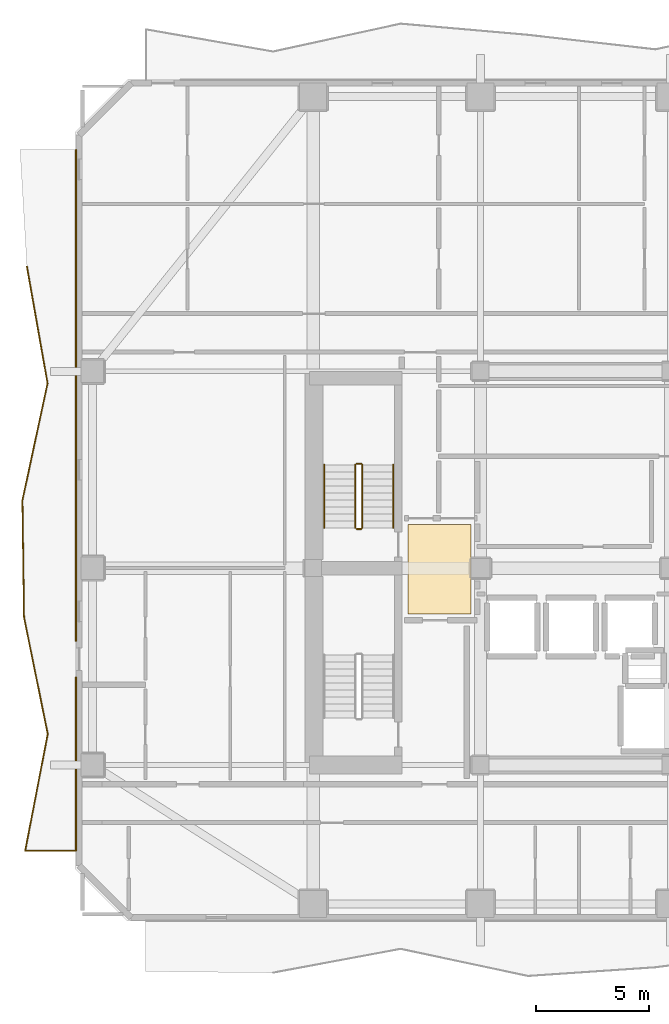
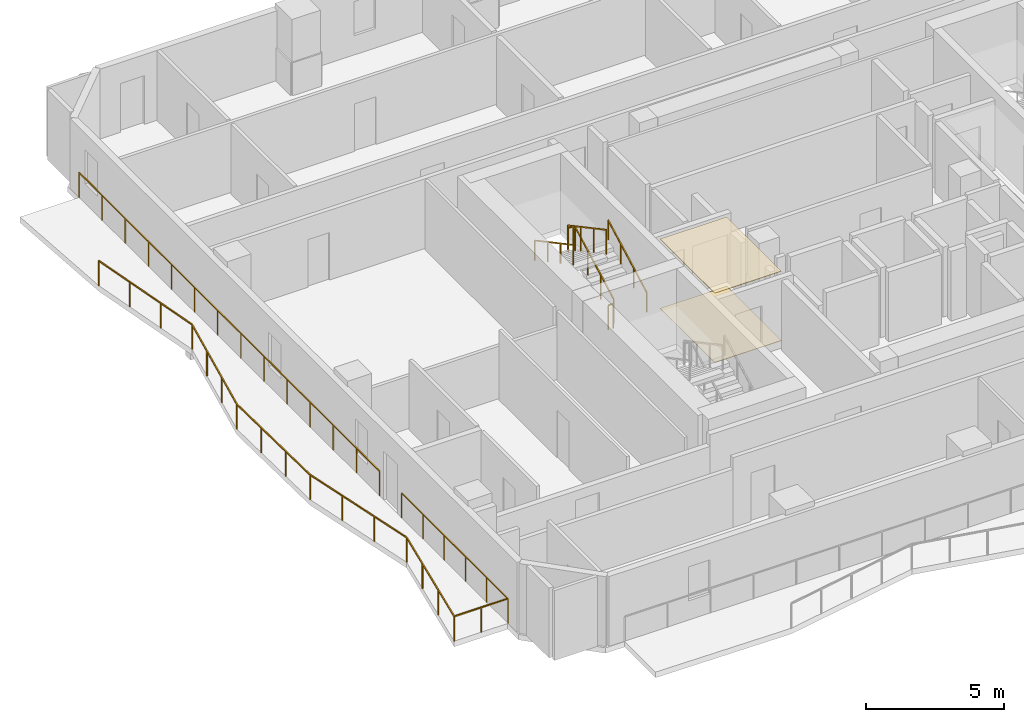
# One storey, part 9 of 11: 8 railings, 2 coverings.
"""IFC4 building model written with IfcOpenShell, lengths in metres."""

from ifc_helpers import new_model, si_unit, direction, frame, origin, origin_2d, place, context, subcontext, project, spatial, polyline, rectangle, outline, extrude, material, layer, layer_set, type_object, element, save


model = new_model("IFC4")

# Units and contexts
model_context = context("Model", 3, precision=1e-05, world=origin(), true_north=direction((0.0, 1.0)))
body_context = subcontext(model_context, "Body", "Model", "MODEL_VIEW")
ifc_project = project(units=[si_unit("LENGTHUNIT", "METRE"), si_unit("AREAUNIT", "SQUARE_METRE"), si_unit("VOLUMEUNIT", "CUBIC_METRE"), si_unit("PLANEANGLEUNIT", "RADIAN"), si_unit("MASSUNIT", "GRAM", prefix="KILO")], contexts=[model_context])

# Site, building, storey
site_placement = place(None, origin())
site = spatial("IfcSite", under=ifc_project, at=site_placement, CompositionType="ELEMENT")
building_placement = place(site_placement, origin())
building = spatial("IfcBuilding", under=site, at=building_placement, Name="Solanera Arch Residences", CompositionType="ELEMENT")
storey_placement = place(building_placement, frame((0.0, 0.0, 180.199951171875)))
storey = spatial("IfcBuildingStorey", under=building, at=storey_placement, Name="L52", CompositionType="ELEMENT", Elevation=180.199951171875)

# Railings
ifc_material_1 = material(Name="Steel S355 (ASTM A992 / A572 Grade 50)", Category="steel")
railing_type_1 = type_object("IfcRailingType", Name="Balustrade Railing BL-1100", PredefinedType="BALUSTRADE", material=ifc_material_1)
railing_1_placement = place(storey_placement, frame((0.7490234375, 44.032958984375, 0.0)))
element("IfcRailing", 1, at=railing_1_placement, inside=storey, type_object=railing_type_1, Name="L52 W Balcony Balustrade 1", PredefinedType="BALUSTRADE", context=body_context, shape_type="SweptSolid", body=[
    extrude(rectangle(XDim=0.048095703125, YDim=0.048095703125, at=origin_2d()), frame((0.0, 0.0, 1.09619140625), z_axis=(0.173825157864, -0.984776530231, 0.0), x_axis=(0.984776530231, 0.173825157864, 0.0)), (0.0, 0.0, 1.0), 5.245849609375),
    extrude(rectangle(XDim=0.048095703125, YDim=0.048095703125, at=origin_2d()), frame((0.911865234375, -5.166015625, 1.09619140625), z_axis=(-0.210185229584, -0.977661582177, 0.0), x_axis=(0.977661582177, -0.210185229584, 0.0)), (0.0, 0.0, 1.0), 5.28515625),
    extrude(rectangle(XDim=0.048095703125, YDim=0.048095703125, at=origin_2d()), frame((-0.198974609375, -10.3330078125, 1.09619140625), z_axis=(0.013748464196, -0.9999054854, 0.0), x_axis=(0.9999054854, 0.013748464196, 0.0)), (0.0, 0.0, 1.0), 5.16748046875),
    extrude(rectangle(XDim=0.048095703125, YDim=0.048095703125, at=origin_2d()), frame((-0.1279296875, -15.5, 1.09619140625), z_axis=(0.198787473189, -0.980042621779, 0.0), x_axis=(0.980042621779, 0.198787473189, 0.0)), (0.0, 0.0, 1.0), 5.271240234375),
    extrude(rectangle(XDim=0.048095703125, YDim=0.048095703125, at=origin_2d()), frame((0.919921875, -20.666015625, 1.09619140625), z_axis=(-0.189652614263, -0.981851254469, 0.0), x_axis=(0.981851254469, -0.189652614263, 0.0)), (0.0, 0.0, 1.0), 5.262451171875),
    extrude(rectangle(XDim=0.048095703125, YDim=0.048095703125, at=origin_2d()), frame((-0.078125, -25.8330078125, 1.09619140625), z_axis=(1.0, 0.0, 0.0), x_axis=(0.0, 1.0, 0.0)), (0.0, 0.0, 1.0), 2.2490234375),
    extrude(rectangle(XDim=0.048095703125, YDim=0.048095703125, at=origin_2d()), frame((2.1708984375, -25.8330078125, 1.09619140625), z_axis=(0.0, 1.0, 0.0), x_axis=(-1.0, 0.0, 0.0)), (0.0, 0.0, 1.0), 7.679931640625),
    extrude(rectangle(XDim=0.0419921875, YDim=0.0419921875, at=origin_2d()), origin(), (0.0, 0.0, 1.0), 1.072021484375),
    extrude(rectangle(XDim=0.0419921875, YDim=0.0419921875, at=origin_2d()), frame((0.303955078125, -1.721923828125, 0.0)), (0.0, 0.0, 1.0), 1.072021484375),
    extrude(rectangle(XDim=0.0419921875, YDim=0.0419921875, at=origin_2d()), frame((0.60791015625, -3.444091796875, 0.0)), (0.0, 0.0, 1.0), 1.072021484375),
    extrude(rectangle(XDim=0.0419921875, YDim=0.0419921875, at=origin_2d()), frame((0.911865234375, -5.166015625, 0.0)), (0.0, 0.0, 1.0), 1.072021484375),
    extrude(rectangle(XDim=0.0419921875, YDim=0.0419921875, at=origin_2d()), frame((0.54150390625, -6.888427734375, 0.0)), (0.0, 0.0, 1.0), 1.072021484375),
    extrude(rectangle(XDim=0.0419921875, YDim=0.0419921875, at=origin_2d()), frame((0.17138671875, -8.610595703125, 0.0)), (0.0, 0.0, 1.0), 1.072021484375),
    extrude(rectangle(XDim=0.0419921875, YDim=0.0419921875, at=origin_2d()), frame((-0.198974609375, -10.3330078125, 0.0)), (0.0, 0.0, 1.0), 1.072021484375),
    extrude(rectangle(XDim=0.0419921875, YDim=0.0419921875, at=origin_2d()), frame((-0.17529296875, -12.055419921875, 0.0)), (0.0, 0.0, 1.0), 1.072021484375),
    extrude(rectangle(XDim=0.0419921875, YDim=0.0419921875, at=origin_2d()), frame((-0.151611328125, -13.777587890625, 0.0)), (0.0, 0.0, 1.0), 1.072021484375),
    extrude(rectangle(XDim=0.0419921875, YDim=0.0419921875, at=origin_2d()), frame((-0.1279296875, -15.5, 0.0)), (0.0, 0.0, 1.0), 1.072021484375),
    extrude(rectangle(XDim=0.0419921875, YDim=0.0419921875, at=origin_2d()), frame((0.221435546875, -17.221923828125, 0.0)), (0.0, 0.0, 1.0), 1.072021484375),
    extrude(rectangle(XDim=0.0419921875, YDim=0.0419921875, at=origin_2d()), frame((0.570556640625, -18.944091796875, 0.0)), (0.0, 0.0, 1.0), 1.072021484375),
    extrude(rectangle(XDim=0.0419921875, YDim=0.0419921875, at=origin_2d()), frame((0.919921875, -20.666015625, 0.0)), (0.0, 0.0, 1.0), 1.072021484375),
    extrude(rectangle(XDim=0.0419921875, YDim=0.0419921875, at=origin_2d()), frame((0.587158203125, -22.388427734375, 0.0)), (0.0, 0.0, 1.0), 1.072021484375),
    extrude(rectangle(XDim=0.0419921875, YDim=0.0419921875, at=origin_2d()), frame((0.254638671875, -24.110595703125, 0.0)), (0.0, 0.0, 1.0), 1.072021484375),
    extrude(rectangle(XDim=0.0419921875, YDim=0.0419921875, at=origin_2d()), frame((-0.078125, -25.8330078125, 0.0)), (0.0, 0.0, 1.0), 1.072021484375),
    extrude(rectangle(XDim=0.0419921875, YDim=0.0419921875, at=origin_2d()), frame((1.04638671875, -25.8330078125, 0.0)), (0.0, 0.0, 1.0), 1.072021484375),
    extrude(rectangle(XDim=0.0419921875, YDim=0.0419921875, at=origin_2d()), frame((2.1708984375, -25.8330078125, 0.0)), (0.0, 0.0, 1.0), 1.072021484375),
    extrude(rectangle(XDim=0.0419921875, YDim=0.0419921875, at=origin_2d()), frame((2.1708984375, -24.297119140625, 0.0)), (0.0, 0.0, 1.0), 1.072021484375),
    extrude(rectangle(XDim=0.0419921875, YDim=0.0419921875, at=origin_2d()), frame((2.1708984375, -22.760986328125, 0.0)), (0.0, 0.0, 1.0), 1.072021484375),
    extrude(rectangle(XDim=0.0419921875, YDim=0.0419921875, at=origin_2d()), frame((2.1708984375, -21.22509765625, 0.0)), (0.0, 0.0, 1.0), 1.072021484375),
    extrude(rectangle(XDim=0.0419921875, YDim=0.0419921875, at=origin_2d()), frame((2.1708984375, -19.68896484375, 0.0)), (0.0, 0.0, 1.0), 1.072021484375),
    extrude(rectangle(XDim=0.0419921875, YDim=0.0419921875, at=origin_2d()), frame((2.1708984375, -18.153076171875, 0.0)), (0.0, 0.0, 1.0), 1.072021484375),
])
railing_2_placement = place(storey_placement, frame((2.919921875, 27.47998046875, 0.0)))
element("IfcRailing", 2, at=railing_2_placement, inside=storey, type_object=railing_type_1, Name="L52 W Balcony Balustrade 2", PredefinedType="BALUSTRADE", context=body_context, shape_type="SweptSolid", body=[
    extrude(rectangle(XDim=0.048095703125, YDim=0.048095703125, at=origin_2d()), frame((0.0, 0.0, 1.09619140625), z_axis=(0.0, 1.0, 0.0), x_axis=(-1.0, 0.0, 0.0)), (0.0, 0.0, 1.0), 21.719970703125),
    extrude(rectangle(XDim=0.0419921875, YDim=0.0419921875, at=origin_2d()), origin(), (0.0, 0.0, 1.0), 1.072021484375),
    extrude(rectangle(XDim=0.0419921875, YDim=0.0419921875, at=origin_2d()), frame((0.0, 1.670654296875, 0.0)), (0.0, 0.0, 1.0), 1.072021484375),
    extrude(rectangle(XDim=0.0419921875, YDim=0.0419921875, at=origin_2d()), frame((0.0, 3.341552734375, 0.0)), (0.0, 0.0, 1.0), 1.072021484375),
    extrude(rectangle(XDim=0.0419921875, YDim=0.0419921875, at=origin_2d()), frame((0.0, 5.01220703125, 0.0)), (0.0, 0.0, 1.0), 1.072021484375),
    extrude(rectangle(XDim=0.0419921875, YDim=0.0419921875, at=origin_2d()), frame((0.0, 6.68310546875, 0.0)), (0.0, 0.0, 1.0), 1.072021484375),
    extrude(rectangle(XDim=0.0419921875, YDim=0.0419921875, at=origin_2d()), frame((0.0, 8.353759765625, 0.0)), (0.0, 0.0, 1.0), 1.072021484375),
    extrude(rectangle(XDim=0.0419921875, YDim=0.0419921875, at=origin_2d()), frame((0.0, 10.024658203125, 0.0)), (0.0, 0.0, 1.0), 1.072021484375),
    extrude(rectangle(XDim=0.0419921875, YDim=0.0419921875, at=origin_2d()), frame((0.0, 11.6953125, 0.0)), (0.0, 0.0, 1.0), 1.072021484375),
    extrude(rectangle(XDim=0.0419921875, YDim=0.0419921875, at=origin_2d()), frame((0.0, 13.3662109375, 0.0)), (0.0, 0.0, 1.0), 1.072021484375),
    extrude(rectangle(XDim=0.0419921875, YDim=0.0419921875, at=origin_2d()), frame((0.0, 15.036865234375, 0.0)), (0.0, 0.0, 1.0), 1.072021484375),
    extrude(rectangle(XDim=0.0419921875, YDim=0.0419921875, at=origin_2d()), frame((0.0, 16.707763671875, 0.0)), (0.0, 0.0, 1.0), 1.072021484375),
    extrude(rectangle(XDim=0.0419921875, YDim=0.0419921875, at=origin_2d()), frame((0.0, 18.37841796875, 0.0)), (0.0, 0.0, 1.0), 1.072021484375),
    extrude(rectangle(XDim=0.0419921875, YDim=0.0419921875, at=origin_2d()), frame((0.0, 20.04931640625, 0.0)), (0.0, 0.0, 1.0), 1.072021484375),
    extrude(rectangle(XDim=0.0419921875, YDim=0.0419921875, at=origin_2d()), frame((0.0, 21.719970703125, 0.0)), (0.0, 0.0, 1.0), 1.072021484375),
])

# Covering
ifc_material_2 = material(Name="Porcelain Acoustic Floor Tile", Category="ceramic")
ifc_layer_1 = layer(ifc_material_2, 0.02001953125)
ifc_layer_set_1 = layer_set([ifc_layer_1], Name="Porcelain Acoustic Floor Tile")
covering_type_1 = type_object("IfcCoveringType", Name="Porcelain Acoustic Floor Finish FLR-20", PredefinedType="FLOORING", material=ifc_layer_set_1)
covering_1_placement = place(storey_placement, origin())
element("IfcCovering", 3, at=covering_1_placement, inside=storey, type_object=covering_type_1, Name="L52-FFL-W Porcelain Floor Finish", PredefinedType="FLOORING", context=body_context, shape_type="SweptSolid", body=[
    extrude(outline(polyline([(20.375, 28.675048828125), (17.594970703125, 28.675048828125), (17.594970703125, 32.625), (20.375, 32.625), (20.375, 28.675048828125)])), origin(), (0.0, 0.0, 1.0), 0.02001953125),
])

# Railings
ifc_material_3 = material(Name="Steel S355 (ASTM A992 / A572 Grade 50)", Category="steel")
railing_type_2 = type_object("IfcRailingType", Name="Stair Guardrail GR-1100", PredefinedType="GUARDRAIL", material=ifc_material_3)
railing_3_placement = place(storey_placement, frame((15.570068359375, 32.47998046875, 0.151123046875)))
element("IfcRailing", 4, at=railing_3_placement, inside=storey, type_object=railing_type_2, Name="L52 ST-T1 stair guard 1", PredefinedType="GUARDRAIL", context=body_context, shape_type="SweptSolid", body=[
    extrude(rectangle(XDim=0.048095703125, YDim=0.048095703125, at=origin_2d()), frame((0.0, 0.0, 1.076171875), z_axis=(0.0, 0.881580869306, 0.472033018838), x_axis=(-1.0, 0.0, 0.0)), (0.0, 0.0, 1.0), 3.164794921875),
    extrude(rectangle(XDim=0.0419921875, YDim=0.0419921875, at=origin_2d()), origin(), (0.0, 0.0, 1.0), 1.052001953125),
    extrude(rectangle(XDim=0.0419921875, YDim=0.0419921875, at=origin_2d()), frame((0.0, 0.929931640625, 0.498046875)), (0.0, 0.0, 1.0), 1.052001953125),
    extrude(rectangle(XDim=0.0419921875, YDim=0.0419921875, at=origin_2d()), frame((0.0, 1.860107421875, 0.995849609375)), (0.0, 0.0, 1.0), 1.052001953125),
    extrude(rectangle(XDim=0.0419921875, YDim=0.0419921875, at=origin_2d()), frame((0.0, 2.7900390625, 1.493896484375)), (0.0, 0.0, 1.0), 1.052001953125),
])
railing_4_placement = place(storey_placement, frame((15.52001953125, 35.320068359375, 1.64501953125)))
element("IfcRailing", 5, at=railing_4_placement, inside=storey, type_object=railing_type_2, Name="L52 ST-T1 stair guard 2", PredefinedType="GUARDRAIL", context=body_context, shape_type="SweptSolid", body=[
    extrude(rectangle(XDim=0.048095703125, YDim=0.048095703125, at=origin_2d()), frame((0.0, 0.0, 1.076171875), z_axis=(-1.0, 0.0, 0.0), x_axis=(0.0, -1.0, 0.0)), (0.0, 0.0, 1.0), 0.199951171875),
    extrude(rectangle(XDim=0.0419921875, YDim=0.0419921875, at=origin_2d()), origin(), (0.0, 0.0, 1.0), 1.052001953125),
    extrude(rectangle(XDim=0.0419921875, YDim=0.0419921875, at=origin_2d()), frame((-0.199951171875, 0.0, 0.0)), (0.0, 0.0, 1.0), 1.052001953125),
])
railing_5_placement = place(storey_placement, frame((15.27001953125, 35.27001953125, 1.81103515625)))
element("IfcRailing", 6, at=railing_5_placement, inside=storey, type_object=railing_type_2, Name="L52 ST-T1 stair guard 3", PredefinedType="GUARDRAIL", context=body_context, shape_type="SweptSolid", body=[
    extrude(rectangle(XDim=0.048095703125, YDim=0.048095703125, at=origin_2d()), frame((0.0, 0.0, 1.076171875), z_axis=(0.0, -0.881580869306, 0.472033018838), x_axis=(1.0, 0.0, 0.0)), (0.0, 0.0, 1.0), 3.164794921875),
    extrude(rectangle(XDim=0.0419921875, YDim=0.0419921875, at=origin_2d()), origin(), (0.0, 0.0, 1.0), 1.052001953125),
    extrude(rectangle(XDim=0.0419921875, YDim=0.0419921875, at=origin_2d()), frame((0.0, -0.929931640625, 0.498046875)), (0.0, 0.0, 1.0), 1.052001953125),
    extrude(rectangle(XDim=0.0419921875, YDim=0.0419921875, at=origin_2d()), frame((0.0, -1.860107421875, 0.995849609375)), (0.0, 0.0, 1.0), 1.052001953125),
    extrude(rectangle(XDim=0.0419921875, YDim=0.0419921875, at=origin_2d()), frame((0.0, -2.7900390625, 1.493896484375)), (0.0, 0.0, 1.0), 1.052001953125),
])
railing_6_placement = place(storey_placement, frame((15.52001953125, 32.429931640625, -0.014892578125)))
element("IfcRailing", 7, at=railing_6_placement, inside=storey, type_object=railing_type_2, Name="L52 ST-T1 stair guard 4", PredefinedType="GUARDRAIL", context=body_context, shape_type="SweptSolid", body=[
    extrude(rectangle(XDim=0.048095703125, YDim=0.048095703125, at=origin_2d()), frame((0.0, 0.0, 1.076171875), z_axis=(-1.0, 0.0, 0.0), x_axis=(0.0, -1.0, 0.0)), (0.0, 0.0, 1.0), 0.199951171875),
    extrude(rectangle(XDim=0.0419921875, YDim=0.0419921875, at=origin_2d()), origin(), (0.0, 0.0, 1.0), 1.052001953125),
    extrude(rectangle(XDim=0.0419921875, YDim=0.0419921875, at=origin_2d()), frame((-0.199951171875, 0.0, 0.0)), (0.0, 0.0, 1.0), 1.052001953125),
])
ifc_material_4 = material(Name="Steel S355 (ASTM A992 / A572 Grade 50)", Category="steel")
railing_type_3 = type_object("IfcRailingType", Name="Stair Wall Handrail HR-920", PredefinedType="HANDRAIL", material=ifc_material_4)
railing_7_placement = place(storey_placement, frame((16.949951171875, 32.47998046875, 0.166015625)))
element("IfcRailing", 8, at=railing_7_placement, inside=storey, type_object=railing_type_3, Name="L52 ST-T1 stair handrail 1", PredefinedType="HANDRAIL", context=body_context, shape_type="SweptSolid", body=[
    extrude(rectangle(XDim=0.048095703125, YDim=0.048095703125, at=origin_2d()), frame((0.0, 0.0, 0.8759765625), z_axis=(0.0, 0.881548766853, 0.472092969298), x_axis=(-1.0, 0.0, 0.0)), (0.0, 0.0, 1.0), 3.1650390625),
    extrude(rectangle(XDim=0.0419921875, YDim=0.0419921875, at=origin_2d()), origin(), (0.0, 0.0, 1.0), 0.851806640625),
    extrude(rectangle(XDim=0.0419921875, YDim=0.0419921875, at=origin_2d()), frame((0.0, 0.929931640625, 0.498046875)), (0.0, 0.0, 1.0), 0.851806640625),
    extrude(rectangle(XDim=0.0419921875, YDim=0.0419921875, at=origin_2d()), frame((0.0, 1.860107421875, 0.99609375)), (0.0, 0.0, 1.0), 0.851806640625),
    extrude(rectangle(XDim=0.0419921875, YDim=0.0419921875, at=origin_2d()), frame((0.0, 2.7900390625, 1.494140625)), (0.0, 0.0, 1.0), 0.851806640625),
])
railing_8_placement = place(storey_placement, frame((13.889892578125, 35.27001953125, 1.825927734375)))
element("IfcRailing", 9, at=railing_8_placement, inside=storey, type_object=railing_type_3, Name="L52 ST-T1 stair handrail 2", PredefinedType="HANDRAIL", context=body_context, shape_type="SweptSolid", body=[
    extrude(rectangle(XDim=0.048095703125, YDim=0.048095703125, at=origin_2d()), frame((0.0, 0.0, 0.8759765625), z_axis=(0.0, -0.881548766853, 0.472092969298), x_axis=(1.0, 0.0, 0.0)), (0.0, 0.0, 1.0), 3.1650390625),
    extrude(rectangle(XDim=0.0419921875, YDim=0.0419921875, at=origin_2d()), origin(), (0.0, 0.0, 1.0), 0.851806640625),
    extrude(rectangle(XDim=0.0419921875, YDim=0.0419921875, at=origin_2d()), frame((0.0, -0.929931640625, 0.498046875)), (0.0, 0.0, 1.0), 0.851806640625),
    extrude(rectangle(XDim=0.0419921875, YDim=0.0419921875, at=origin_2d()), frame((0.0, -1.860107421875, 0.99609375)), (0.0, 0.0, 1.0), 0.851806640625),
    extrude(rectangle(XDim=0.0419921875, YDim=0.0419921875, at=origin_2d()), frame((0.0, -2.7900390625, 1.494140625)), (0.0, 0.0, 1.0), 0.851806640625),
])

# Covering
ifc_material_5 = material(Name="Mineral Fibre Acoustic Ceiling Board", Category="gypsum")
ifc_layer_2 = layer(ifc_material_5, 0.02490234375)
ifc_layer_set_2 = layer_set([ifc_layer_2], Name="Mineral Fibre Acoustic Ceiling Board")
covering_type_2 = type_object("IfcCoveringType", Name="Suspended Acoustic Ceiling Board CLG-25", PredefinedType="CEILING", material=ifc_layer_set_2)
covering_2_placement = place(storey_placement, frame((0.0, 0.0, 3.054931640625)))
element("IfcCovering", 10, at=covering_2_placement, inside=storey, type_object=covering_type_2, Name="L52-FFL-W Acoustic Ceiling", PredefinedType="CEILING", context=body_context, shape_type="SweptSolid", body=[
    extrude(outline(polyline([(20.375, 28.675048828125), (17.594970703125, 28.675048828125), (17.594970703125, 32.625), (20.375, 32.625), (20.375, 28.675048828125)])), origin(), (0.0, 0.0, 1.0), 0.025146484375),
])

save(model, "model.ifc")
